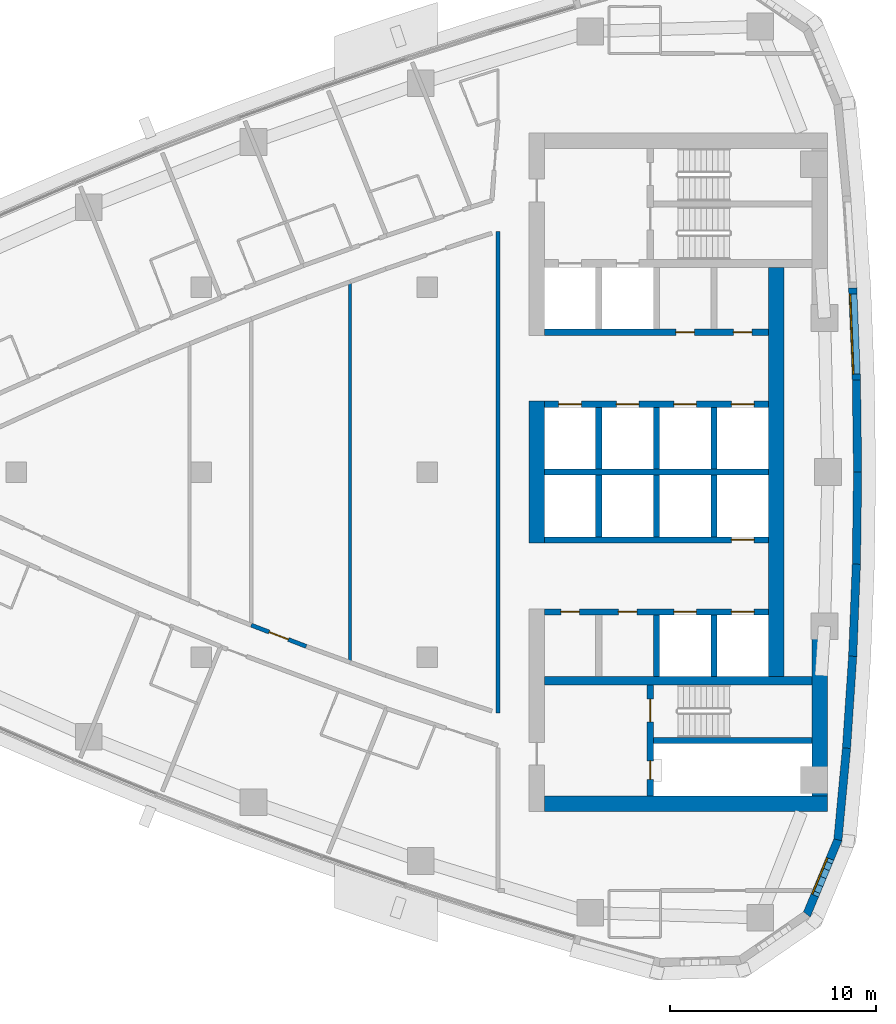
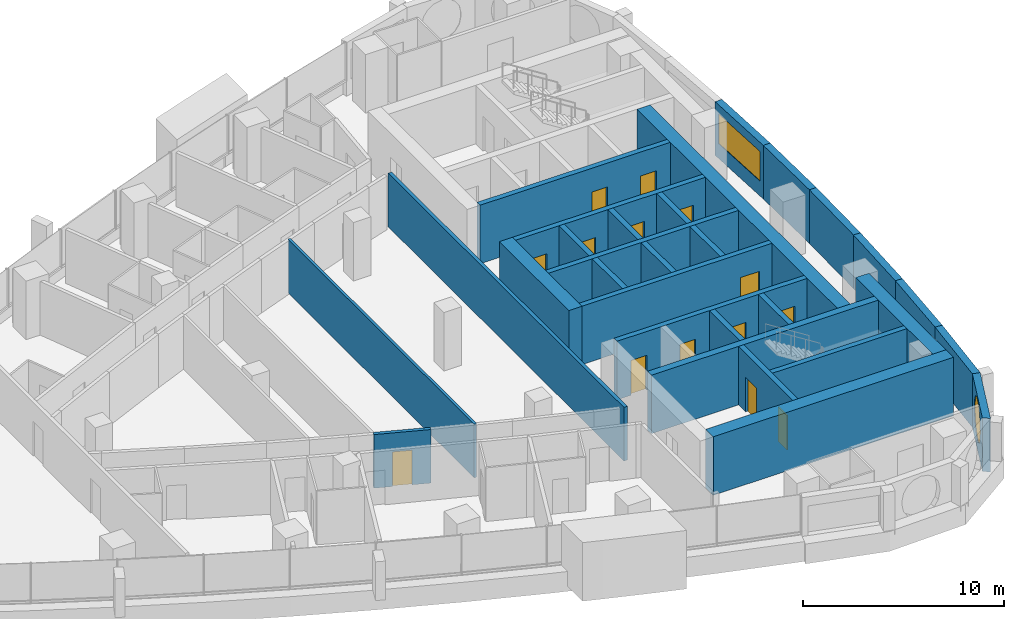
# One storey, part 11 of 17: 30 walls, 14 doors, 2 windows, 16 openings.
"""IFC4 building model written with IfcOpenShell, lengths in metres."""

from ifc_helpers import new_model, si_unit, direction, frame, frame_2d, origin, place, context, subcontext, project, spatial, polyline, rectangle, outline, extrude, material, layer, layer_set, type_object, element, fill, save


model = new_model("IFC4")

# Units and contexts
model_context = context("Model", 3, precision=1e-05, world=origin(), true_north=direction((0.0, 1.0)))
body_context = subcontext(model_context, "Body", "Model", "MODEL_VIEW")
ifc_project = project(units=[si_unit("LENGTHUNIT", "METRE"), si_unit("AREAUNIT", "SQUARE_METRE"), si_unit("VOLUMEUNIT", "CUBIC_METRE"), si_unit("PLANEANGLEUNIT", "RADIAN"), si_unit("MASSUNIT", "GRAM", prefix="KILO")], contexts=[model_context])

# Site, building, storey
site_placement = place(None, origin())
site = spatial("IfcSite", under=ifc_project, at=site_placement, CompositionType="ELEMENT")
building_placement = place(site_placement, origin())
building = spatial("IfcBuilding", under=site, at=building_placement, Name="Ostrand Prow Hotel Tower", CompositionType="ELEMENT")
storey_placement = place(building_placement, frame((0.0, 0.0, 203.89990234375)))
storey = spatial("IfcBuildingStorey", under=building, at=storey_placement, Name="L51", CompositionType="ELEMENT", Elevation=203.89990234375)

# Wall
ifc_material_1 = material(Name="Concrete C60/75", Category="concrete")
ifc_layer_1 = layer(ifc_material_1, 0.300048828125)
ifc_layer_set_1 = layer_set([ifc_layer_1], Name="Concrete C60/75")
wall_type_1 = type_object("IfcWallType", Name="Core wall 300 C60/75", PredefinedType="SHEAR", material=ifc_layer_set_1)
wall_1_placement = place(storey_placement, frame((50.699951171875, 0.0, 0.0), z_axis=(0.0, 0.0, 1.0), x_axis=(1.0, 0.0, 0.0)))
element("IfcWall", 1, at=wall_1_placement, inside=storey, type_object=wall_type_1, Name="Core wall PW-C", PredefinedType="SHEAR", context=body_context, shape_type="SweptSolid", body=[
    extrude(rectangle(XDim=10.900146484375, YDim=0.300048828125, at=frame_2d((5.4501953125, 0.0))), origin(), (0.0, 0.0, 1.0), 3.550048828125),
])

# Wall, openings, doors
wall_2_placement = place(storey_placement, frame((50.699951171875, 3.300048828125, 0.0), z_axis=(0.0, 0.0, 1.0), x_axis=(1.0, 0.0, 0.0)))
wall_2 = element("IfcWall", 2, at=wall_2_placement, inside=storey, type_object=wall_type_1, Name="Core wall PW-L1-N", PredefinedType="SHEAR", context=body_context, shape_type="SweptSolid", body=[
    extrude(rectangle(XDim=10.900146484375, YDim=0.300048828125, at=frame_2d((5.4501953125, 0.0))), origin(), (0.0, 0.0, 1.0), 3.550048828125),
])
opening_1_placement = place(wall_2_placement, frame((0.699951171875, 0.0, 0.0)))
opening_1 = element("IfcOpeningElement", 3, at=opening_1_placement, cuts=wall_2, Name="Opening LD", PredefinedType="OPENING", context=body_context, shape_type="SweptSolid", body=[
    extrude(rectangle(XDim=1.10009765625, YDim=2.10009765625, at=frame_2d((0.550048828125, 1.050048828125))), frame((0.0, 0.159912109375, 0.0), z_axis=(0.0, -1.0, 0.0), x_axis=(1.0, 0.0, 0.0)), (0.0, 0.0, 1.0), 0.320068359375),
])
opening_2_placement = place(wall_2_placement, frame((3.5, 0.0, 0.0)))
opening_2 = element("IfcOpeningElement", 4, at=opening_2_placement, cuts=wall_2, Name="Opening LD", PredefinedType="OPENING", context=body_context, shape_type="SweptSolid", body=[
    extrude(rectangle(XDim=1.10009765625, YDim=2.10009765625, at=frame_2d((0.550048828125, 1.050048828125))), frame((0.0, 0.159912109375, 0.0), z_axis=(0.0, -1.0, 0.0), x_axis=(1.0, 0.0, 0.0)), (0.0, 0.0, 1.0), 0.320068359375),
])
opening_3_placement = place(wall_2_placement, frame((6.300048828125, 0.0, 0.0)))
opening_3 = element("IfcOpeningElement", 5, at=opening_3_placement, cuts=wall_2, Name="Opening LD", PredefinedType="OPENING", context=body_context, shape_type="SweptSolid", body=[
    extrude(rectangle(XDim=1.10009765625, YDim=2.10009765625, at=frame_2d((0.550048828125, 1.050048828125))), frame((0.0, 0.159912109375, 0.0), z_axis=(0.0, -1.0, 0.0), x_axis=(1.0, 0.0, 0.0)), (0.0, 0.0, 1.0), 0.320068359375),
])
opening_4_placement = place(wall_2_placement, frame((9.10009765625, 0.0, 0.0)))
opening_4 = element("IfcOpeningElement", 6, at=opening_4_placement, cuts=wall_2, Name="Opening LD", PredefinedType="OPENING", context=body_context, shape_type="SweptSolid", body=[
    extrude(rectangle(XDim=1.10009765625, YDim=2.10009765625, at=frame_2d((0.550048828125, 1.050048828125))), frame((0.0, 0.159912109375, 0.0), z_axis=(0.0, -1.0, 0.0), x_axis=(1.0, 0.0, 0.0)), (0.0, 0.0, 1.0), 0.320068359375),
])
ifc_material_2 = material(Name="Stainless steel door", Category="steel")
door_type_1 = type_object("IfcDoorType", Name="Lift landing door 1100", OperationType="DOUBLE_DOOR_SLIDING", PredefinedType="DOOR", material=ifc_material_2)
door_1_placement = place(opening_1_placement, origin())
door_1 = element("IfcDoor", 7, at=door_1_placement, inside=storey, type_object=door_type_1, Name="LIFT LANDING DOOR", OperationType="DOUBLE_DOOR_SLIDING", OverallHeight=2.10009765625, OverallWidth=1.10009765625, PredefinedType="DOOR", context=body_context, shape_type="SweptSolid", body=[
    extrude(rectangle(XDim=1.10009765625, YDim=2.10009765625, at=frame_2d((0.550048828125, 1.050048828125))), frame((0.0, 0.02490234375, 0.0), z_axis=(0.0, -1.0, 0.0), x_axis=(1.0, 0.0, 0.0)), (0.0, 0.0, 1.0), 0.050048828125),
])
fill(opening_1, door_1)
door_2_placement = place(opening_2_placement, origin())
door_2 = element("IfcDoor", 8, at=door_2_placement, inside=storey, type_object=door_type_1, Name="LIFT LANDING DOOR", OperationType="DOUBLE_DOOR_SLIDING", OverallHeight=2.10009765625, OverallWidth=1.10009765625, PredefinedType="DOOR", context=body_context, shape_type="SweptSolid", body=[
    extrude(rectangle(XDim=1.10009765625, YDim=2.10009765625, at=frame_2d((0.550048828125, 1.050048828125))), frame((0.0, 0.02490234375, 0.0), z_axis=(0.0, -1.0, 0.0), x_axis=(1.0, 0.0, 0.0)), (0.0, 0.0, 1.0), 0.050048828125),
])
fill(opening_2, door_2)
door_3_placement = place(opening_3_placement, origin())
door_3 = element("IfcDoor", 9, at=door_3_placement, inside=storey, type_object=door_type_1, Name="LIFT LANDING DOOR", OperationType="DOUBLE_DOOR_SLIDING", OverallHeight=2.10009765625, OverallWidth=1.10009765625, PredefinedType="DOOR", context=body_context, shape_type="SweptSolid", body=[
    extrude(rectangle(XDim=1.10009765625, YDim=2.10009765625, at=frame_2d((0.550048828125, 1.050048828125))), frame((0.0, 0.02490234375, 0.0), z_axis=(0.0, -1.0, 0.0), x_axis=(1.0, 0.0, 0.0)), (0.0, 0.0, 1.0), 0.050048828125),
])
fill(opening_3, door_3)
door_4_placement = place(opening_4_placement, origin())
door_4 = element("IfcDoor", 10, at=door_4_placement, inside=storey, type_object=door_type_1, Name="LIFT LANDING DOOR", OperationType="DOUBLE_DOOR_SLIDING", OverallHeight=2.10009765625, OverallWidth=1.10009765625, PredefinedType="DOOR", context=body_context, shape_type="SweptSolid", body=[
    extrude(rectangle(XDim=1.10009765625, YDim=2.10009765625, at=frame_2d((0.550048828125, 1.050048828125))), frame((0.0, 0.02490234375, 0.0), z_axis=(0.0, -1.0, 0.0), x_axis=(1.0, 0.0, 0.0)), (0.0, 0.0, 1.0), 0.050048828125),
])
fill(opening_4, door_4)

wall_3_placement = place(storey_placement, frame((50.699951171875, 6.800048828125, 0.0), z_axis=(0.0, 0.0, 1.0), x_axis=(1.0, 0.0, 0.0)))
wall_3 = element("IfcWall", 11, at=wall_3_placement, inside=storey, type_object=wall_type_1, Name="Core wall PW-L2-N", PredefinedType="SHEAR", context=body_context, shape_type="SweptSolid", body=[
    extrude(rectangle(XDim=10.900146484375, YDim=0.300048828125, at=frame_2d((5.4501953125, 0.0))), origin(), (0.0, 0.0, 1.0), 3.550048828125),
])
opening_5_placement = place(wall_3_placement, frame((6.39990234375, 0.0, 0.0)))
opening_5 = element("IfcOpeningElement", 12, at=opening_5_placement, cuts=wall_3, Name="Opening FD2", PredefinedType="OPENING", context=body_context, shape_type="SweptSolid", body=[
    extrude(rectangle(XDim=0.89990234375, YDim=2.10009765625, at=frame_2d((0.449951171875, 1.050048828125))), frame((0.0, 0.159912109375, 0.0), z_axis=(0.0, -1.0, 0.0), x_axis=(1.0, 0.0, 0.0)), (0.0, 0.0, 1.0), 0.320068359375),
])
opening_6_placement = place(wall_3_placement, frame((9.199951171875, 0.0, 0.0)))
opening_6 = element("IfcOpeningElement", 13, at=opening_6_placement, cuts=wall_3, Name="Opening FD2", PredefinedType="OPENING", context=body_context, shape_type="SweptSolid", body=[
    extrude(rectangle(XDim=0.89990234375, YDim=2.10009765625, at=frame_2d((0.449951171875, 1.050048828125))), frame((0.0, 0.159912109375, 0.0), z_axis=(0.0, -1.0, 0.0), x_axis=(1.0, 0.0, 0.0)), (0.0, 0.0, 1.0), 0.320068359375),
])
ifc_material_3 = material(Name="Steel fire door", Category="steel")
door_type_2 = type_object("IfcDoorType", Name="Fire door 900 EI120", OperationType="SINGLE_SWING_LEFT", PredefinedType="DOOR", material=ifc_material_3)
door_5_placement = place(opening_5_placement, origin())
door_5 = element("IfcDoor", 14, at=door_5_placement, inside=storey, type_object=door_type_2, Name="DOOR", OperationType="SINGLE_SWING_LEFT", OverallHeight=2.10009765625, OverallWidth=0.89990234375, PredefinedType="DOOR", context=body_context, shape_type="SweptSolid", body=[
    extrude(rectangle(XDim=0.89990234375, YDim=2.10009765625, at=frame_2d((0.449951171875, 1.050048828125))), frame((0.0, 0.02490234375, 0.0), z_axis=(0.0, -1.0, 0.0), x_axis=(1.0, 0.0, 0.0)), (0.0, 0.0, 1.0), 0.050048828125),
])
fill(opening_5, door_5)
door_6_placement = place(opening_6_placement, origin())
door_6 = element("IfcDoor", 15, at=door_6_placement, inside=storey, type_object=door_type_2, Name="DOOR", OperationType="SINGLE_SWING_LEFT", OverallHeight=2.10009765625, OverallWidth=0.89990234375, PredefinedType="DOOR", context=body_context, shape_type="SweptSolid", body=[
    extrude(rectangle(XDim=0.89990234375, YDim=2.10009765625, at=frame_2d((0.449951171875, 1.050048828125))), frame((0.0, 0.02490234375, 0.0), z_axis=(0.0, -1.0, 0.0), x_axis=(1.0, 0.0, 0.0)), (0.0, 0.0, 1.0), 0.050048828125),
])
fill(opening_6, door_6)

# Walls
for number, where, z_axis, x_axis, name in (
    (16, (53.35009765625, 0.14990234375, 0.0), (0.0, 0.0, 1.0), (0.0, 1.0, 0.0), "Core wall PW-R1-NB"),
    (17, (56.14990234375, 0.14990234375, 0.0), (0.0, 0.0, 1.0), (0.0, 1.0, 0.0), "Core wall PW-R2-NB"),
    (18, (58.949951171875, 0.14990234375, 0.0), (0.0, 0.0, 1.0), (0.0, 1.0, 0.0), "Core wall PW-R3-NB"),
):
    element("IfcWall", number, at=place(storey_placement, frame(where, z_axis=z_axis, x_axis=x_axis)), inside=storey, type_object=wall_type_1, Name=name, PredefinedType="SHEAR", context=body_context, shape_type="SweptSolid", body=[
        extrude(rectangle(XDim=3.0, YDim=0.300048828125, at=frame_2d((1.5, 0.0))), origin(), (0.0, 0.0, 1.0), 3.550048828125),
    ])

# Wall, opening, door
wall_4_placement = place(storey_placement, frame((50.699951171875, -3.300048828125, 0.0), z_axis=(0.0, 0.0, 1.0), x_axis=(1.0, 0.0, 0.0)))
wall_4 = element("IfcWall", 19, at=wall_4_placement, inside=storey, type_object=wall_type_1, Name="Core wall PW-L1-S", PredefinedType="SHEAR", context=body_context, shape_type="SweptSolid", body=[
    extrude(rectangle(XDim=10.900146484375, YDim=0.300048828125, at=frame_2d((5.4501953125, 0.0))), origin(), (0.0, 0.0, 1.0), 3.550048828125),
])
opening_7_placement = place(wall_4_placement, frame((9.10009765625, 0.0, 0.0)))
opening_7 = element("IfcOpeningElement", 20, at=opening_7_placement, cuts=wall_4, Name="Opening LD", PredefinedType="OPENING", context=body_context, shape_type="SweptSolid", body=[
    extrude(rectangle(XDim=1.10009765625, YDim=2.10009765625, at=frame_2d((0.550048828125, 1.050048828125))), frame((0.0, 0.159912109375, 0.0), z_axis=(0.0, -1.0, 0.0), x_axis=(1.0, 0.0, 0.0)), (0.0, 0.0, 1.0), 0.320068359375),
])
door_7_placement = place(opening_7_placement, origin())
door_7 = element("IfcDoor", 21, at=door_7_placement, inside=storey, type_object=door_type_1, Name="LIFT LANDING DOOR", OperationType="DOUBLE_DOOR_SLIDING", OverallHeight=2.10009765625, OverallWidth=1.10009765625, PredefinedType="DOOR", context=body_context, shape_type="SweptSolid", body=[
    extrude(rectangle(XDim=1.10009765625, YDim=2.10009765625, at=frame_2d((0.550048828125, 1.050048828125))), frame((0.0, 0.02490234375, 0.0), z_axis=(0.0, -1.0, 0.0), x_axis=(1.0, 0.0, 0.0)), (0.0, 0.0, 1.0), 0.050048828125),
])
fill(opening_7, door_7)

# Wall, openings, doors
wall_5_placement = place(storey_placement, frame((50.699951171875, -6.800048828125, 0.0), z_axis=(0.0, 0.0, 1.0), x_axis=(1.0, 0.0, 0.0)))
wall_5 = element("IfcWall", 22, at=wall_5_placement, inside=storey, type_object=wall_type_1, Name="Core wall PW-L2-S", PredefinedType="SHEAR", context=body_context, shape_type="SweptSolid", body=[
    extrude(rectangle(XDim=10.900146484375, YDim=0.300048828125, at=frame_2d((5.4501953125, 0.0))), origin(), (0.0, 0.0, 1.0), 3.550048828125),
])
opening_8_placement = place(wall_5_placement, frame((6.300048828125, 0.0, 0.0)))
opening_8 = element("IfcOpeningElement", 23, at=opening_8_placement, cuts=wall_5, Name="Opening LD", PredefinedType="OPENING", context=body_context, shape_type="SweptSolid", body=[
    extrude(rectangle(XDim=1.10009765625, YDim=2.10009765625, at=frame_2d((0.550048828125, 1.050048828125))), frame((0.0, 0.159912109375, 0.0), z_axis=(0.0, -1.0, 0.0), x_axis=(1.0, 0.0, 0.0)), (0.0, 0.0, 1.0), 0.320068359375),
])
opening_9_placement = place(wall_5_placement, frame((9.10009765625, 0.0, 0.0)))
opening_9 = element("IfcOpeningElement", 24, at=opening_9_placement, cuts=wall_5, Name="Opening LD", PredefinedType="OPENING", context=body_context, shape_type="SweptSolid", body=[
    extrude(rectangle(XDim=1.10009765625, YDim=2.10009765625, at=frame_2d((0.550048828125, 1.050048828125))), frame((0.0, 0.159912109375, 0.0), z_axis=(0.0, -1.0, 0.0), x_axis=(1.0, 0.0, 0.0)), (0.0, 0.0, 1.0), 0.320068359375),
])
opening_10_placement = place(wall_5_placement, frame((0.800048828125, 0.0, 0.0)))
opening_10 = element("IfcOpeningElement", 25, at=opening_10_placement, cuts=wall_5, Name="Opening FD2", PredefinedType="OPENING", context=body_context, shape_type="SweptSolid", body=[
    extrude(rectangle(XDim=0.89990234375, YDim=2.10009765625, at=frame_2d((0.449951171875, 1.050048828125))), frame((0.0, 0.159912109375, 0.0), z_axis=(0.0, -1.0, 0.0), x_axis=(1.0, 0.0, 0.0)), (0.0, 0.0, 1.0), 0.320068359375),
])
opening_11_placement = place(wall_5_placement, frame((3.60009765625, 0.0, 0.0)))
opening_11 = element("IfcOpeningElement", 26, at=opening_11_placement, cuts=wall_5, Name="Opening FD2", PredefinedType="OPENING", context=body_context, shape_type="SweptSolid", body=[
    extrude(rectangle(XDim=0.89990234375, YDim=2.10009765625, at=frame_2d((0.449951171875, 1.050048828125))), frame((0.0, 0.159912109375, 0.0), z_axis=(0.0, -1.0, 0.0), x_axis=(1.0, 0.0, 0.0)), (0.0, 0.0, 1.0), 0.320068359375),
])
door_8_placement = place(opening_10_placement, origin())
door_8 = element("IfcDoor", 27, at=door_8_placement, inside=storey, type_object=door_type_2, Name="DOOR", OperationType="SINGLE_SWING_LEFT", OverallHeight=2.10009765625, OverallWidth=0.89990234375, PredefinedType="DOOR", context=body_context, shape_type="SweptSolid", body=[
    extrude(rectangle(XDim=0.89990234375, YDim=2.10009765625, at=frame_2d((0.449951171875, 1.050048828125))), frame((0.0, 0.02490234375, 0.0), z_axis=(0.0, -1.0, 0.0), x_axis=(1.0, 0.0, 0.0)), (0.0, 0.0, 1.0), 0.050048828125),
])
fill(opening_10, door_8)
door_9_placement = place(opening_11_placement, origin())
door_9 = element("IfcDoor", 28, at=door_9_placement, inside=storey, type_object=door_type_2, Name="DOOR", OperationType="SINGLE_SWING_LEFT", OverallHeight=2.10009765625, OverallWidth=0.89990234375, PredefinedType="DOOR", context=body_context, shape_type="SweptSolid", body=[
    extrude(rectangle(XDim=0.89990234375, YDim=2.10009765625, at=frame_2d((0.449951171875, 1.050048828125))), frame((0.0, 0.02490234375, 0.0), z_axis=(0.0, -1.0, 0.0), x_axis=(1.0, 0.0, 0.0)), (0.0, 0.0, 1.0), 0.050048828125),
])
fill(opening_11, door_9)
door_10_placement = place(opening_8_placement, origin())
door_10 = element("IfcDoor", 29, at=door_10_placement, inside=storey, type_object=door_type_1, Name="LIFT LANDING DOOR", OperationType="DOUBLE_DOOR_SLIDING", OverallHeight=2.10009765625, OverallWidth=1.10009765625, PredefinedType="DOOR", context=body_context, shape_type="SweptSolid", body=[
    extrude(rectangle(XDim=1.10009765625, YDim=2.10009765625, at=frame_2d((0.550048828125, 1.050048828125))), frame((0.0, 0.02490234375, 0.0), z_axis=(0.0, -1.0, 0.0), x_axis=(1.0, 0.0, 0.0)), (0.0, 0.0, 1.0), 0.050048828125),
])
fill(opening_8, door_10)
door_11_placement = place(opening_9_placement, origin())
door_11 = element("IfcDoor", 30, at=door_11_placement, inside=storey, type_object=door_type_1, Name="LIFT LANDING DOOR", OperationType="DOUBLE_DOOR_SLIDING", OverallHeight=2.10009765625, OverallWidth=1.10009765625, PredefinedType="DOOR", context=body_context, shape_type="SweptSolid", body=[
    extrude(rectangle(XDim=1.10009765625, YDim=2.10009765625, at=frame_2d((0.550048828125, 1.050048828125))), frame((0.0, 0.02490234375, 0.0), z_axis=(0.0, -1.0, 0.0), x_axis=(1.0, 0.0, 0.0)), (0.0, 0.0, 1.0), 0.050048828125),
])
fill(opening_9, door_11)

# Walls
for number, where, z_axis, x_axis, name in (
    (31, (53.35009765625, -3.14990234375, 0.0), (0.0, 0.0, 1.0), (0.0, 1.0, 0.0), "Core wall PW-R1-SB"),
    (32, (56.14990234375, -3.14990234375, 0.0), (0.0, 0.0, 1.0), (0.0, 1.0, 0.0), "Core wall PW-R2-SB"),
    (33, (56.14990234375, -9.949951171875, 0.0), (0.0, 0.0, 1.0), (0.0, 1.0, 0.0), "Core wall PW-R2-SA"),
    (34, (58.949951171875, -3.14990234375, 0.0), (0.0, 0.0, 1.0), (0.0, 1.0, 0.0), "Core wall PW-R3-SB"),
    (35, (58.949951171875, -9.949951171875, 0.0), (0.0, 0.0, 1.0), (0.0, 1.0, 0.0), "Core wall PW-R3-SA"),
):
    element("IfcWall", number, at=place(storey_placement, frame(where, z_axis=z_axis, x_axis=x_axis)), inside=storey, type_object=wall_type_1, Name=name, PredefinedType="SHEAR", context=body_context, shape_type="SweptSolid", body=[
        extrude(rectangle(XDim=3.0, YDim=0.300048828125, at=frame_2d((1.5, 0.0))), origin(), (0.0, 0.0, 1.0), 3.550048828125),
    ])

# Wall, openings, doors
wall_6_placement = place(storey_placement, frame((55.85009765625, -15.75, 0.0), z_axis=(0.0, 0.0, 1.0), x_axis=(0.0, 1.0, 0.0)))
wall_6 = element("IfcWall", 36, at=wall_6_placement, inside=storey, type_object=wall_type_1, Name="Core wall PW-VS", PredefinedType="SHEAR", context=body_context, shape_type="SweptSolid", body=[
    extrude(rectangle(XDim=5.39990234375, YDim=0.300048828125, at=frame_2d((2.699951171875, 0.0))), origin(), (0.0, 0.0, 1.0), 3.550048828125),
])
opening_12_placement = place(wall_6_placement, frame((3.60009765625, 0.0, 0.0)))
opening_12 = element("IfcOpeningElement", 37, at=opening_12_placement, cuts=wall_6, Name="Opening FD1", PredefinedType="OPENING", context=body_context, shape_type="SweptSolid", body=[
    extrude(rectangle(XDim=1.10009765625, YDim=2.10009765625, at=frame_2d((0.550048828125, 1.050048828125))), frame((0.0, 0.159912109375, 0.0), z_axis=(0.0, -1.0, 0.0), x_axis=(1.0, 0.0, 0.0)), (0.0, 0.0, 1.0), 0.320068359375),
])
opening_13_placement = place(wall_6_placement, frame((0.800048828125, 0.0, 0.0)))
opening_13 = element("IfcOpeningElement", 38, at=opening_13_placement, cuts=wall_6, Name="Opening FD2", PredefinedType="OPENING", context=body_context, shape_type="SweptSolid", body=[
    extrude(rectangle(XDim=0.89990234375, YDim=2.10009765625, at=frame_2d((0.449951171875, 1.050048828125))), frame((0.0, 0.159912109375, 0.0), z_axis=(0.0, -1.0, 0.0), x_axis=(1.0, 0.0, 0.0)), (0.0, 0.0, 1.0), 0.320068359375),
])
ifc_material_4 = material(Name="Steel fire door", Category="steel")
door_type_3 = type_object("IfcDoorType", Name="Fire door 1100 EI120", OperationType="SINGLE_SWING_RIGHT", PredefinedType="DOOR", material=ifc_material_4)
door_12_placement = place(opening_12_placement, origin())
door_12 = element("IfcDoor", 39, at=door_12_placement, inside=storey, type_object=door_type_3, Name="FIRE DOOR", OperationType="SINGLE_SWING_RIGHT", OverallHeight=2.10009765625, OverallWidth=1.10009765625, PredefinedType="DOOR", context=body_context, shape_type="SweptSolid", body=[
    extrude(rectangle(XDim=1.10009765625, YDim=2.10009765625, at=frame_2d((0.550048828125, 1.050048828125))), frame((0.0, 0.02490234375, 0.0), z_axis=(0.0, -1.0, 0.0), x_axis=(1.0, 0.0, 0.0)), (0.0, 0.0, 1.0), 0.050048828125),
])
fill(opening_12, door_12)
door_13_placement = place(opening_13_placement, origin())
door_13 = element("IfcDoor", 40, at=door_13_placement, inside=storey, type_object=door_type_2, Name="FIRE DOOR", OperationType="SINGLE_SWING_LEFT", OverallHeight=2.10009765625, OverallWidth=0.89990234375, PredefinedType="DOOR", context=body_context, shape_type="SweptSolid", body=[
    extrude(rectangle(XDim=0.89990234375, YDim=2.10009765625, at=frame_2d((0.449951171875, 1.050048828125))), frame((0.0, 0.02490234375, 0.0), z_axis=(0.0, -1.0, 0.0), x_axis=(1.0, 0.0, 0.0)), (0.0, 0.0, 1.0), 0.050048828125),
])
fill(opening_13, door_13)

# Walls
wall_7_placement = place(storey_placement, frame((56.0, -13.050048828125, 0.0), z_axis=(0.0, 0.0, 1.0), x_axis=(1.0, 0.0, 0.0)))
element("IfcWall", 41, at=wall_7_placement, inside=storey, type_object=wall_type_1, Name="Core wall PW-ST2R", PredefinedType="SHEAR", context=body_context, shape_type="SweptSolid", body=[
    extrude(rectangle(XDim=7.719970703125, YDim=0.300048828125, at=frame_2d((3.85986328125, 0.0))), origin(), (0.0, 0.0, 1.0), 3.550048828125),
])
ifc_material_5 = material(Name="Concrete C60/75", Category="concrete")
ifc_layer_2 = layer(ifc_material_5, 0.39990234375)
ifc_layer_set_2 = layer_set([ifc_layer_2], Name="Concrete C60/75")
wall_type_2 = type_object("IfcWallType", Name="Core wall 400 C60/75", PredefinedType="SHEAR", material=ifc_layer_set_2)
wall_8_placement = place(storey_placement, frame((50.699951171875, -10.14990234375, 0.0), z_axis=(0.0, 0.0, 1.0), x_axis=(1.0, 0.0, 0.0)))
element("IfcWall", 42, at=wall_8_placement, inside=storey, type_object=wall_type_2, Name="Core wall PW-BS", PredefinedType="SHEAR", context=body_context, shape_type="SweptSolid", body=[
    extrude(rectangle(XDim=13.02001953125, YDim=0.39990234375, at=frame_2d((6.510009765625, 0.0))), origin(), (0.0, 0.0, 1.0), 3.550048828125),
])
ifc_material_6 = material(Name="Concrete C60/75", Category="concrete")
ifc_layer_3 = layer(ifc_material_6, 0.75)
ifc_layer_set_3 = layer_set([ifc_layer_3], Name="Concrete C60/75")
wall_type_3 = type_object("IfcWallType", Name="Core wall 750 C60/75", PredefinedType="SHEAR", material=ifc_layer_set_3)
wall_9_placement = place(storey_placement, frame((50.324951171875, -3.449951171875, 0.0), z_axis=(0.0, 0.0, 1.0), x_axis=(0.0, 1.0, 0.0)))
element("IfcWall", 43, at=wall_9_placement, inside=storey, type_object=wall_type_3, Name="Core wall CW-W-C", PredefinedType="SHEAR", context=body_context, shape_type="SweptSolid", body=[
    extrude(rectangle(XDim=6.89990234375, YDim=0.75, at=frame_2d((3.449951171875, 0.0))), origin(), (0.0, 0.0, 1.0), 3.550048828125),
])
wall_10_placement = place(storey_placement, frame((50.699951171875, -16.125, 0.0), z_axis=(0.0, 0.0, 1.0), x_axis=(1.0, 0.0, 0.0)))
element("IfcWall", 44, at=wall_10_placement, inside=storey, type_object=wall_type_3, Name="Core wall CW-S", PredefinedType="SHEAR", context=body_context, shape_type="SweptSolid", body=[
    extrude(rectangle(XDim=13.77001953125, YDim=0.75, at=frame_2d((6.885009765625, 0.0))), origin(), (0.0, 0.0, 1.0), 3.550048828125),
])
wall_11_placement = place(storey_placement, frame((64.094970703125, -15.75, 0.0), z_axis=(0.0, 0.0, 1.0), x_axis=(0.0, 1.0, 0.0)))
element("IfcWall", 45, at=wall_11_placement, inside=storey, type_object=wall_type_3, Name="Core wall CW-E-S", PredefinedType="SHEAR", context=body_context, shape_type="SweptSolid", body=[
    extrude(rectangle(XDim=7.65087890625, YDim=0.75, at=frame_2d((3.825439453125, 0.0))), origin(), (0.0, 0.0, 1.0), 3.550048828125),
])
wall_12_placement = place(storey_placement, frame((61.97509765625, -9.949951171875, 0.0), z_axis=(0.0, 0.0, 1.0), x_axis=(0.0, 1.0, 0.0)))
element("IfcWall", 46, at=wall_12_placement, inside=storey, type_object=wall_type_3, Name="Core wall CW-E-C", PredefinedType="SHEAR", context=body_context, shape_type="SweptSolid", body=[
    extrude(rectangle(XDim=19.89990234375, YDim=0.75, at=frame_2d((9.949951171875, 0.0))), origin(), (0.0, 0.0, 1.0), 3.550048828125),
])
ifc_material_7 = material(Name="Plasterboard partition")
ifc_layer_4 = layer(ifc_material_7, 0.14990234375)
ifc_layer_set_4 = layer_set([ifc_layer_4], Name="Plasterboard partition")
wall_type_4 = type_object("IfcWallType", Name="Partition 150 room partition", PredefinedType="PARTITIONING", material=ifc_layer_set_4)
wall_13_placement = place(storey_placement, frame((41.244873046875, -9.254150390625, 0.0), z_axis=(0.0, 0.0, 1.0), x_axis=(0.0, 1.0, 0.0)))
element("IfcWall", 47, at=wall_13_placement, inside=storey, type_object=wall_type_4, Name="ROOM PARTITION", PredefinedType="PARTITIONING", context=body_context, shape_type="SweptSolid", body=[
    extrude(rectangle(XDim=18.50830078125, YDim=0.14990234375, at=frame_2d((9.254150390625, 0.0))), origin(), (0.0, 0.0, 1.0), 3.25),
])

# Wall, opening, door
ifc_material_8 = material(Name="Plasterboard partition")
ifc_layer_5 = layer(ifc_material_8, 0.199951171875)
ifc_layer_set_5 = layer_set([ifc_layer_5], Name="Plasterboard partition")
wall_type_5 = type_object("IfcWallType", Name="Partition 200 corridor wall", PredefinedType="PARTITIONING", material=ifc_layer_set_5)
wall_14_placement = place(storey_placement, frame((39.115478515625, -8.4794921875, 0.0), z_axis=(0.0, 0.0, 1.0), x_axis=(-0.932650373077, 0.36078148733, 0.0)))
wall_14 = element("IfcWall", 48, at=wall_14_placement, inside=storey, type_object=wall_type_5, Name="CORRIDOR WALL", PredefinedType="PARTITIONING", context=body_context, shape_type="SweptSolid", body=[
    extrude(rectangle(XDim=2.8671875, YDim=0.199951171875, at=frame_2d((1.43359375, 0.0))), origin(), (0.0, 0.0, 1.0), 3.25),
])
opening_14_placement = place(wall_14_placement, frame((0.93359375, 0.0, 0.0)))
opening_14 = element("IfcOpeningElement", 49, at=opening_14_placement, cuts=wall_14, Name="Opening D1R", PredefinedType="OPENING", context=body_context, shape_type="SweptSolid", body=[
    extrude(rectangle(XDim=1.0, YDim=2.10009765625, at=frame_2d((0.5, 1.050048828125))), frame((0.0, 0.10986328125, 0.0), z_axis=(0.0, -1.0, 0.0), x_axis=(1.0, 0.0, 0.0)), (0.0, 0.0, 1.0), 0.219970703125),
])
ifc_material_9 = material(Name="Timber door leaf", Category="wood")
door_type_4 = type_object("IfcDoorType", Name="Guest room door 1000 right", OperationType="SINGLE_SWING_RIGHT", PredefinedType="DOOR", material=ifc_material_9)
door_14_placement = place(opening_14_placement, origin())
door_14 = element("IfcDoor", 50, at=door_14_placement, inside=storey, type_object=door_type_4, Name="DOOR", OperationType="SINGLE_SWING_RIGHT", OverallHeight=2.10009765625, OverallWidth=1.0, PredefinedType="DOOR", context=body_context, shape_type="SweptSolid", body=[
    extrude(rectangle(XDim=1.0, YDim=2.10009765625, at=frame_2d((0.5, 1.050048828125))), frame((0.0, 0.02490234375, 0.0), z_axis=(0.0, -1.0, 0.0), x_axis=(1.0, 0.0, 0.0)), (0.0, 0.0, 1.0), 0.050048828125),
])
fill(opening_14, door_14)

# Wall
wall_15_placement = place(storey_placement, frame((48.445068359375, 11.7099609375, 0.0), z_axis=(0.0, 0.0, 1.0), x_axis=(0.0, -1.0, 0.0)))
element("IfcWall", 51, at=wall_15_placement, inside=storey, type_object=wall_type_5, Name="CORRIDOR WALL", PredefinedType="PARTITIONING", context=body_context, shape_type="SweptSolid", body=[
    extrude(rectangle(XDim=23.419921875, YDim=0.199951171875, at=frame_2d((11.7099609375, 0.0))), origin(), (0.0, 0.0, 1.0), 3.25),
])

# Wall, opening, window
ifc_material_10 = material(Name="Precast concrete C40/50", Category="concrete")
ifc_layer_6 = layer(ifc_material_10, 0.39990234375)
ifc_layer_set_6 = layer_set([ifc_layer_6], Name="Precast concrete C40/50")
wall_type_6 = type_object("IfcWallType", Name="Stone-faced precast wall 400 mm", PredefinedType="NOTDEFINED", material=ifc_layer_set_6)
wall_16_placement = place(storey_placement, frame((63.472412109375, -21.517822265625, 0.0), z_axis=(0.0, 0.0, 1.0), x_axis=(0.383997619794, 0.923334082547, 0.0)))
wall_16 = element("IfcWall", 52, at=wall_16_placement, inside=storey, type_object=wall_type_6, Name="Stone-faced wall back 4", PredefinedType="NOTDEFINED", context=body_context, shape_type="SweptSolid", body=[
    extrude(outline(polyline([(-0.05908203125, -0.199951171875), (3.95947265625, -0.199951171875), (3.89892578125, 0.199951171875), (0.05908203125, 0.199951171875), (-0.05908203125, -0.199951171875)])), origin(), (0.0, 0.0, 1.0), 3.25),
])
opening_15_placement = place(wall_16_placement, frame((0.864501953125, 0.0, 0.60009765625)))
opening_15 = element("IfcOpeningElement", 53, at=opening_15_placement, cuts=wall_16, Name="Opening WP1", PredefinedType="OPENING", context=body_context, shape_type="SweptSolid", body=[
    extrude(outline(polyline([(0.0, 1.35009765625), (0.083740234375, 1.77099609375), (0.322265625, 2.127685546875), (0.678955078125, 2.3662109375), (1.10009765625, 2.449951171875), (1.52099609375, 2.3662109375), (1.877685546875, 2.127685546875), (2.1162109375, 1.77099609375), (2.199951171875, 1.35009765625), (2.199951171875, 1.10009765625), (2.1162109375, 0.678955078125), (1.877685546875, 0.322265625), (1.52099609375, 0.083740234375), (1.10009765625, 0.0), (0.678955078125, 0.083740234375), (0.322265625, 0.322265625), (0.083740234375, 0.678955078125), (0.0, 1.099853515625), (0.0, 1.35009765625)])), frame((0.0, 0.2099609375, 0.0), z_axis=(0.0, -1.0, 0.0), x_axis=(1.0, 0.0, 0.0)), (0.0, 0.0, 1.0), 0.419921875),
])
ifc_material_11 = material(Name="Insulated glass in bronze frame", Category="glass")
window_type_1 = type_object("IfcWindowType", Name="Round-ended prow window 2200x2450", PartitioningType="SINGLE_PANEL", PredefinedType="WINDOW", material=ifc_material_11)
window_1_placement = place(opening_15_placement, origin())
window_1 = element("IfcWindow", 54, at=window_1_placement, inside=storey, type_object=window_type_1, Name="Window back 4.1", OverallHeight=2.449951171875, OverallWidth=2.199951171875, PartitioningType="SINGLE_PANEL", PredefinedType="WINDOW", context=body_context, shape_type="SweptSolid", body=[
    extrude(outline(polyline([(0.0, 1.35009765625), (0.083740234375, 1.77099609375), (0.322265625, 2.127685546875), (0.678955078125, 2.3662109375), (1.10009765625, 2.449951171875), (1.52099609375, 2.3662109375), (1.877685546875, 2.127685546875), (2.1162109375, 1.77099609375), (2.199951171875, 1.35009765625), (2.199951171875, 1.10009765625), (2.1162109375, 0.678955078125), (1.877685546875, 0.322265625), (1.52099609375, 0.083740234375), (1.10009765625, 0.0), (0.678955078125, 0.083740234375), (0.322265625, 0.322265625), (0.083740234375, 0.678955078125), (0.0, 1.099853515625), (0.0, 1.35009765625)])), frame((0.0, 0.169921875, 0.0), z_axis=(0.0, -1.0, 0.0), x_axis=(1.0, 0.0, 0.0)), (0.0, 0.0, 1.0), 0.06005859375),
])
fill(opening_15, window_1)

# Walls
wall_17_placement = place(storey_placement, frame((64.981201171875, -17.889892578125, 0.0), z_axis=(0.0, 0.0, 1.0), x_axis=(0.093605694738, 0.995609348044, 0.0)))
element("IfcWall", 55, at=wall_17_placement, inside=storey, type_object=wall_type_6, Name="Stone-faced wall back 5", PredefinedType="NOTDEFINED", context=body_context, shape_type="SweptSolid", body=[
    extrude(outline(polyline([(-0.0302734375, -0.199951171875), (4.483642578125, -0.199951171875), (4.478271484375, 0.199951171875), (0.0302734375, 0.199951171875), (-0.0302734375, -0.199951171875)])), origin(), (0.0, 0.0, 1.0), 3.25),
])
for number, where, z_axis, x_axis, name in (
    (56, (65.400634765625, -13.4287109375, 0.0), (0.0, 0.0, 1.0), (0.066905935948, 0.997759287471, 0.0), "Stone-faced wall back 6"),
    (57, (65.700439453125, -8.957763671875, 0.0), (0.0, 0.0, 1.0), (0.040155165338, 0.999193456092, 0.0), "Stone-faced wall back 7"),
    (58, (65.88037109375, -4.48046875, 0.0), (0.0, 0.0, 1.0), (0.013348854104, 0.999910900078, 0.0), "Stone-faced wall back 8"),
    (59, (65.940185546875, 0.0, 0.0), (0.0, 0.0, 1.0), (-0.013348854104, 0.999910900078, 0.0), "Stone-faced wall back 9"),
):
    element("IfcWall", number, at=place(storey_placement, frame(where, z_axis=z_axis, x_axis=x_axis)), inside=storey, type_object=wall_type_6, Name=name, PredefinedType="NOTDEFINED", context=body_context, shape_type="SweptSolid", body=[
        extrude(outline(polyline([(-0.002685546875, -0.199951171875), (4.483642578125, -0.199951171875), (4.478271484375, 0.199951171875), (0.002685546875, 0.199951171875), (-0.002685546875, -0.199951171875)])), origin(), (0.0, 0.0, 1.0), 3.25),
    ])

# Wall, opening, window
wall_18_placement = place(storey_placement, frame((65.88037109375, 4.48046875, 0.0), z_axis=(0.0, 0.0, 1.0), x_axis=(-0.040155165338, 0.999193456092, 0.0)))
wall_18 = element("IfcWall", 60, at=wall_18_placement, inside=storey, type_object=wall_type_6, Name="Stone-faced wall back 10", PredefinedType="NOTDEFINED", context=body_context, shape_type="SweptSolid", body=[
    extrude(outline(polyline([(-0.002685546875, -0.199951171875), (4.483642578125, -0.199951171875), (4.478271484375, 0.199951171875), (0.002685546875, 0.199951171875), (-0.002685546875, -0.199951171875)])), origin(), (0.0, 0.0, 1.0), 3.25),
])
opening_16_placement = place(wall_18_placement, frame((0.290283203125, 0.0, 0.89990234375)))
opening_16 = element("IfcOpeningElement", 61, at=opening_16_placement, cuts=wall_18, Name="Opening WS3-39", PredefinedType="OPENING", context=body_context, shape_type="SweptSolid", body=[
    extrude(rectangle(XDim=3.89990234375, YDim=1.800048828125, at=frame_2d((1.949951171875, 0.89990234375))), frame((0.0, 0.2099609375, 0.0), z_axis=(0.0, -1.0, 0.0), x_axis=(1.0, 0.0, 0.0)), (0.0, 0.0, 1.0), 0.419921875),
])
ifc_material_12 = material(Name="Insulated glass in bronze frame", Category="glass")
window_type_2 = type_object("IfcWindowType", Name="Strip window 3900x1800", PartitioningType="SINGLE_PANEL", PredefinedType="WINDOW", material=ifc_material_12)
window_2_placement = place(opening_16_placement, origin())
window_2 = element("IfcWindow", 62, at=window_2_placement, inside=storey, type_object=window_type_2, Name="Window back 10.1", OverallHeight=1.800048828125, OverallWidth=3.89990234375, PartitioningType="SINGLE_PANEL", PredefinedType="WINDOW", context=body_context, shape_type="SweptSolid", body=[
    extrude(rectangle(XDim=3.89990234375, YDim=1.800048828125, at=frame_2d((1.949951171875, 0.89990234375))), frame((0.0, 0.169921875, 0.0), z_axis=(0.0, -1.0, 0.0), x_axis=(1.0, 0.0, 0.0)), (0.0, 0.0, 1.0), 0.06005859375),
])
fill(opening_16, window_2)

save(model, "model.ifc")
